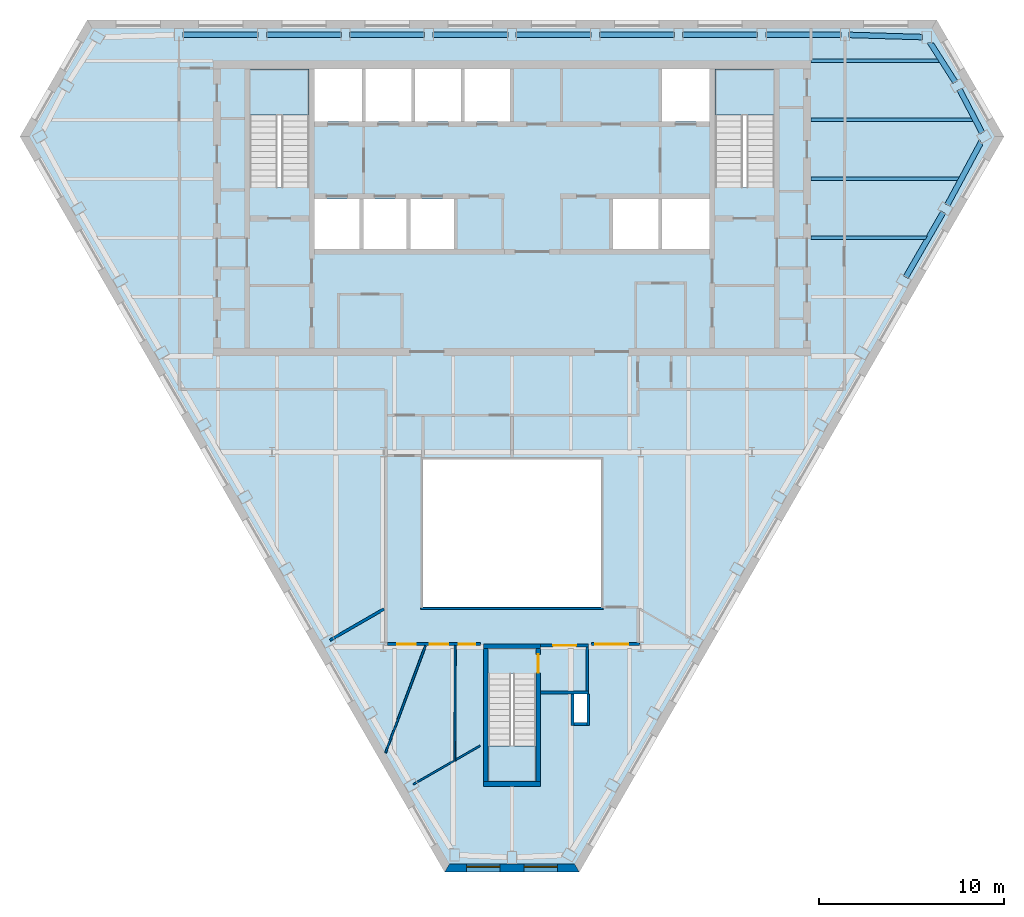
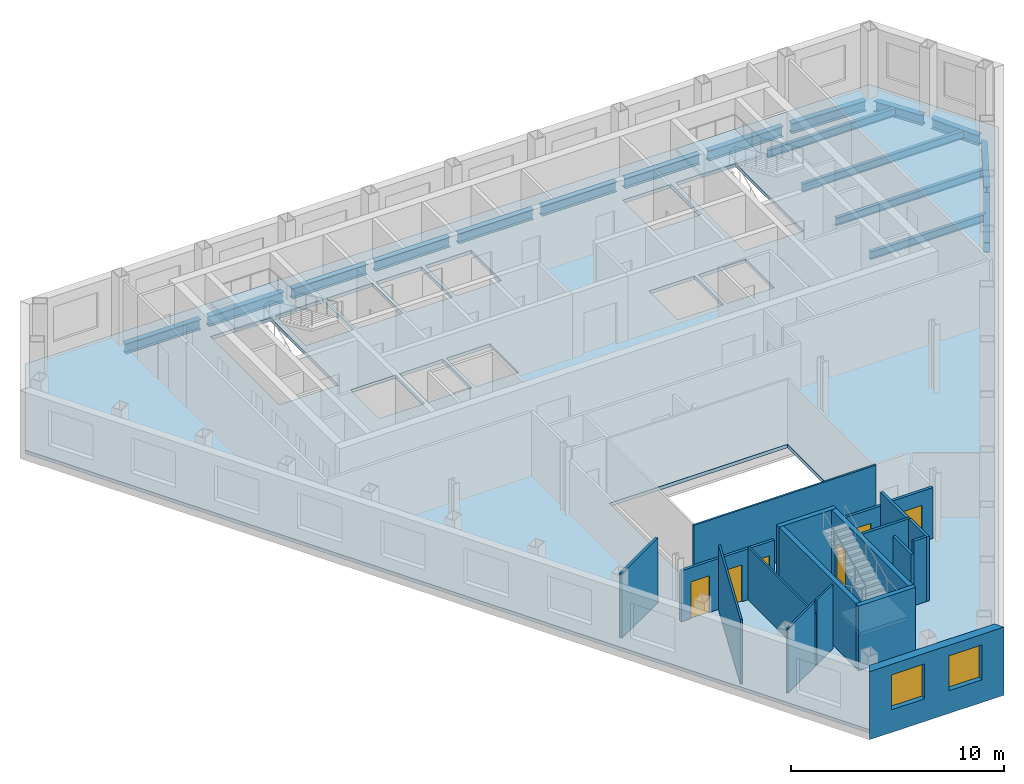
# One storey, part 3 of 11: 19 walls, 17 beams, 6 doors, 4 slabs, 2 windows, 8 openings, 3 elements without a shape of their own.
"""IFC4 building model written with IfcOpenShell, lengths in metres."""

from ifc_helpers import new_model, si_unit, direction, frame, frame_2d, origin, origin_2d, place, context, subcontext, project, spatial, polyline, rectangle, i_section, outline, extrude, clip, halfspace, material, layer, layer_set, material_profile, profile_set, type_object, element, fill, aggregate, save


model = new_model("IFC4")

# Units and contexts
model_context = context("Model", 3, precision=1e-05, world=origin(), true_north=direction((0.0, 1.0)))
body_context = subcontext(model_context, "Body", "Model", "MODEL_VIEW")
ifc_project = project(units=[si_unit("LENGTHUNIT", "METRE"), si_unit("AREAUNIT", "SQUARE_METRE"), si_unit("VOLUMEUNIT", "CUBIC_METRE"), si_unit("PLANEANGLEUNIT", "RADIAN"), si_unit("MASSUNIT", "GRAM", prefix="KILO")], contexts=[model_context])

# Site, building, storey
site_placement = place(None, origin())
site = spatial("IfcSite", under=ifc_project, at=site_placement, CompositionType="ELEMENT")
building_placement = place(site_placement, origin())
building = spatial("IfcBuilding", under=site, at=building_placement, Name="Njiva Tower", CompositionType="ELEMENT")
storey_placement = place(building_placement, frame((0.0, 0.0, 208.2)))
storey = spatial("IfcBuildingStorey", under=building, at=storey_placement, Name="L46", CompositionType="ELEMENT", Elevation=208.2)

# Beams
ifc_material_1 = material(Name="Steel S355 J2", Category="steel")
ifc_material_profile_1 = material_profile(ifc_material_1, i_section(OverallWidth=0.3, OverallDepth=0.59, WebThickness=0.013, FlangeThickness=0.025, at=origin_2d()), Name="HEA 600")
ifc_profile_set_1 = profile_set([ifc_material_profile_1], Name="Steel S355 J2")
beam_type_1 = type_object("IfcBeamType", Name="B27 Short-span spandrel beam HEA 600", PredefinedType="SPANDREL", material=ifc_profile_set_1)
beam_1_placement = place(storey_placement, frame((22.232, 19.274, -0.495), z_axis=(-0.999551735133, 0.029938750687, 0.0), x_axis=(-0.029938750687, -0.999551735133, 0.0)))
element("IfcBeam", 1, at=beam_1_placement, inside=storey, type_object=beam_type_1, Name="Short-span spandrel beam S15-B134", PredefinedType="SPANDREL", context=body_context, shape_type="SweptSolid", body=[
    extrude(i_section(OverallWidth=0.3, OverallDepth=0.59, WebThickness=0.013, FlangeThickness=0.025, at=origin_2d()), origin(), (0.0, 0.0, 1.0), 3.9748),
])
beam_2_placement = place(storey_placement, frame((17.805, 19.4, -0.495), z_axis=(-1.0, 0.0, 0.0), x_axis=(0.0, -1.0, 0.0)))
element("IfcBeam", 2, at=beam_2_placement, inside=storey, type_object=beam_type_1, Name="Short-span spandrel beam S15-B129", PredefinedType="SPANDREL", context=body_context, shape_type="SweptSolid", body=[
    extrude(i_section(OverallWidth=0.3, OverallDepth=0.59, WebThickness=0.013, FlangeThickness=0.025, at=origin_2d()), origin(), (0.0, 0.0, 1.0), 4.057),
])
beam_3_placement = place(storey_placement, frame((13.298, 19.4, -0.495), z_axis=(-1.0, 0.0, 0.0), x_axis=(0.0, -1.0, 0.0)))
element("IfcBeam", 3, at=beam_3_placement, inside=storey, type_object=beam_type_1, Name="Short-span spandrel beam S15-B124", PredefinedType="SPANDREL", context=body_context, shape_type="SweptSolid", body=[
    extrude(i_section(OverallWidth=0.3, OverallDepth=0.59, WebThickness=0.013, FlangeThickness=0.025, at=origin_2d()), origin(), (0.0, 0.0, 1.0), 4.058),
])
beam_4_placement = place(storey_placement, frame((8.79, 19.4, -0.495), z_axis=(-1.0, 0.0, 0.0), x_axis=(0.0, -1.0, 0.0)))
element("IfcBeam", 4, at=beam_4_placement, inside=storey, type_object=beam_type_1, Name="Short-span spandrel beam S15-B119", PredefinedType="SPANDREL", context=body_context, shape_type="SweptSolid", body=[
    extrude(i_section(OverallWidth=0.3, OverallDepth=0.59, WebThickness=0.013, FlangeThickness=0.025, at=origin_2d()), origin(), (0.0, 0.0, 1.0), 4.057),
])
for number, where, z_axis, x_axis, name in (
    (5, (4.283, 19.4, -0.495), (-1.0, 0.0, 0.0), (0.0, -1.0, 0.0), "Short-span spandrel beam S15-B114"),
    (6, (-0.225, 19.4, -0.495), (-1.0, 0.0, 0.0), (0.0, -1.0, 0.0), "Short-span spandrel beam S15-B111"),
):
    element("IfcBeam", number, at=place(storey_placement, frame(where, z_axis=z_axis, x_axis=x_axis)), inside=storey, type_object=beam_type_1, Name=name, PredefinedType="SPANDREL", context=body_context, shape_type="SweptSolid", body=[
        extrude(i_section(OverallWidth=0.3, OverallDepth=0.59, WebThickness=0.013, FlangeThickness=0.025, at=origin_2d()), origin(), (0.0, 0.0, 1.0), 4.058),
    ])
beam_5_placement = place(storey_placement, frame((-4.733, 19.4, -0.495), z_axis=(-1.0, 0.0, 0.0), x_axis=(0.0, -1.0, 0.0)))
element("IfcBeam", 7, at=beam_5_placement, inside=storey, type_object=beam_type_1, Name="Short-span spandrel beam S15-B106", PredefinedType="SPANDREL", context=body_context, shape_type="SweptSolid", body=[
    extrude(i_section(OverallWidth=0.3, OverallDepth=0.59, WebThickness=0.013, FlangeThickness=0.025, at=origin_2d()), origin(), (0.0, 0.0, 1.0), 4.057),
])
beam_6_placement = place(storey_placement, frame((-9.24, 19.4, -0.495), z_axis=(-1.0, 0.0, 0.0), x_axis=(0.0, -1.0, 0.0)))
element("IfcBeam", 8, at=beam_6_placement, inside=storey, type_object=beam_type_1, Name="Short-span spandrel beam S15-B101", PredefinedType="SPANDREL", context=body_context, shape_type="SweptSolid", body=[
    extrude(i_section(OverallWidth=0.3, OverallDepth=0.59, WebThickness=0.013, FlangeThickness=0.025, at=origin_2d()), origin(), (0.0, 0.0, 1.0), 4.058),
])
beam_7_placement = place(storey_placement, frame((-13.748, 19.4, -0.495), z_axis=(-1.0, 0.0, 0.0), x_axis=(0.0, -1.0, 0.0)))
element("IfcBeam", 9, at=beam_7_placement, inside=storey, type_object=beam_type_1, Name="Short-span spandrel beam S15-B096", PredefinedType="SPANDREL", context=body_context, shape_type="SweptSolid", body=[
    extrude(i_section(OverallWidth=0.3, OverallDepth=0.59, WebThickness=0.013, FlangeThickness=0.025, at=origin_2d()), origin(), (0.0, 0.0, 1.0), 4.057),
])
beam_8_placement = place(storey_placement, frame((21.326, 6.274, -0.495), z_axis=(0.500035331196, 0.866005004348, 0.0), x_axis=(-0.866005004348, 0.500035331196, 0.0)))
element("IfcBeam", 10, at=beam_8_placement, inside=storey, type_object=beam_type_1, Name="Short-span spandrel beam S15-B138", PredefinedType="SPANDREL", context=body_context, shape_type="SweptSolid", body=[
    extrude(i_section(OverallWidth=0.3, OverallDepth=0.59, WebThickness=0.013, FlangeThickness=0.025, at=origin_2d()), origin(), (0.0, 0.0, 1.0), 4.0577),
])
beam_9_placement = place(storey_placement, frame((23.576, 10.184, -0.495), z_axis=(0.473697336162, 0.880687704986, 0.0), x_axis=(-0.880687704986, 0.473697336162, 0.0)))
element("IfcBeam", 11, at=beam_9_placement, inside=storey, type_object=beam_type_1, Name="Short-span spandrel beam S15-B142", PredefinedType="SPANDREL", context=body_context, shape_type="Clipping", body=[
    clip(extrude(i_section(OverallWidth=0.3, OverallDepth=0.59, WebThickness=0.013, FlangeThickness=0.025, at=origin_2d()), origin(), (0.0, 0.0, 1.0), 3.9657), halfspace(frame((-0.0262, 0.0, 3.836), z_axis=(-0.525851211947, 0.0, 0.850576570859), x_axis=(0.0, 1.0, 0.0)), False)),
])
beam_10_placement = place(storey_placement, frame((25.461, 14.091, -0.495), z_axis=(-0.462411067742, 0.886665666658, 0.0), x_axis=(-0.886665666658, -0.462411067742, 0.0)))
element("IfcBeam", 12, at=beam_10_placement, inside=storey, type_object=beam_type_1, Name="Short-span spandrel beam S15-B143", PredefinedType="SPANDREL", context=body_context, shape_type="SweptSolid", body=[
    extrude(i_section(OverallWidth=0.3, OverallDepth=0.59, WebThickness=0.013, FlangeThickness=0.025, at=origin_2d()), origin(), (0.0, 0.0, 1.0), 2.647),
])
beam_11_placement = place(storey_placement, frame((24.006, 16.838, -0.495), z_axis=(-0.536644662207, 0.843808335183, 0.0), x_axis=(-0.843808335183, -0.536644662207, 0.0)))
element("IfcBeam", 13, at=beam_11_placement, inside=storey, type_object=beam_type_1, Name="Short-span spandrel beam S15-B139", PredefinedType="SPANDREL", context=body_context, shape_type="Clipping", body=[
    clip(extrude(i_section(OverallWidth=0.3, OverallDepth=0.59, WebThickness=0.013, FlangeThickness=0.025, at=origin_2d()), origin(), (0.0, 0.0, 1.0), 2.6381), halfspace(frame((-0.0268, 0.0, 2.506), z_axis=(-0.536644662207, 0.0, 0.843808335183), x_axis=(0.0, 1.0, 0.0)), False)),
])
ifc_material_profile_2 = material_profile(ifc_material_1, i_section(OverallWidth=0.19, OverallDepth=0.45, WebThickness=0.0094, FlangeThickness=0.0146, at=origin_2d()), Name="IPE 450")
ifc_profile_set_2 = profile_set([ifc_material_profile_2], Name="Steel S355 J2")
beam_type_2 = type_object("IfcBeamType", Name="B37 Floor beam to the core IPE 450", PredefinedType="BEAM", material=ifc_profile_set_2)
beam_12_placement = place(storey_placement, frame((16.2, 8.4, -0.425), z_axis=(1.0, 0.0, 0.0), x_axis=(0.0, 1.0, 0.0)))
element("IfcBeam", 14, at=beam_12_placement, inside=storey, type_object=beam_type_2, Name="Floor beam to the core S15-B007", PredefinedType="BEAM", context=body_context, shape_type="Clipping", body=[
    clip(extrude(i_section(OverallWidth=0.19, OverallDepth=0.45, WebThickness=0.0094, FlangeThickness=0.0146, at=origin_2d()), origin(), (0.0, 0.0, 1.0), 6.313), halfspace(frame((-0.025, 0.0, 6.2236), z_axis=(-0.499998009787, 0.0, 0.866026552831), x_axis=(0.0, 1.0, 0.0)), False)),
])
beam_13_placement = place(storey_placement, frame((16.2, 11.6, -0.425), z_axis=(1.0, 0.0, 0.0), x_axis=(0.0, 1.0, 0.0)))
element("IfcBeam", 15, at=beam_13_placement, inside=storey, type_object=beam_type_2, Name="Floor beam to the core S15-B008", PredefinedType="BEAM", context=body_context, shape_type="Clipping", body=[
    clip(extrude(i_section(OverallWidth=0.19, OverallDepth=0.45, WebThickness=0.0094, FlangeThickness=0.0146, at=origin_2d()), origin(), (0.0, 0.0, 1.0), 8.095), halfspace(frame((-0.0237, 0.0, 8.0111), z_axis=(-0.473769423091, 0.0, 0.880648927634), x_axis=(0.0, 1.0, 0.0)), False)),
])
beam_14_placement = place(storey_placement, frame((16.2, 14.8, -0.425), z_axis=(1.0, 0.0, 0.0), x_axis=(0.0, 1.0, 0.0)))
element("IfcBeam", 16, at=beam_14_placement, inside=storey, type_object=beam_type_2, Name="Floor beam to the core S15-B009", PredefinedType="BEAM", context=body_context, shape_type="Clipping", body=[
    clip(extrude(i_section(OverallWidth=0.19, OverallDepth=0.45, WebThickness=0.0094, FlangeThickness=0.0146, at=origin_2d()), origin(), (0.0, 0.0, 1.0), 8.848), halfspace(frame((0.0231, 0.0, 8.7663), z_axis=(0.462460059842, 0.0, 0.886640114731), x_axis=(0.0, 1.0, 0.0)), False)),
])
beam_15_placement = place(storey_placement, frame((16.2, 18.0, -0.425), z_axis=(1.0, 0.0, 0.0), x_axis=(0.0, 1.0, 0.0)))
element("IfcBeam", 17, at=beam_15_placement, inside=storey, type_object=beam_type_2, Name="Floor beam to the core S15-B010", PredefinedType="BEAM", context=body_context, shape_type="Clipping", body=[
    clip(extrude(i_section(OverallWidth=0.19, OverallDepth=0.45, WebThickness=0.0094, FlangeThickness=0.0146, at=origin_2d()), origin(), (0.0, 0.0, 1.0), 7.028), halfspace(frame((0.0268, 0.0, 6.9314), z_axis=(0.536617291887, 0.0, 0.843825741518), x_axis=(0.0, 1.0, 0.0)), False)),
])

# Stair, slab
ifc_material_2 = material(Name="Concrete C40/50", Category="concrete")
stair_type_1 = type_object("IfcStairType", Name="ST4 Exit stair 1500", PredefinedType="HALF_TURN_STAIR", material=ifc_material_2)
stair_1_placement = place(storey_placement, origin())
stair_1 = element("IfcStair", 18, at=stair_1_placement, inside=storey, type_object=stair_type_1, Name="Stair A", PredefinedType="HALF_TURN_STAIR")
ifc_layer_1 = layer(ifc_material_2, 0.2)
ifc_layer_set_1 = layer_set([ifc_layer_1], Name="Concrete C40/50")
slab_type_1 = type_object("IfcSlabType", Name="FL9 Stair landing 200", PredefinedType="LANDING", material=ifc_layer_set_1)
slab_1_placement = place(storey_placement, frame((0.0, 0.0, 1.75)))
slab_1 = element("IfcSlab", 19, at=slab_1_placement, type_object=slab_type_1, Name="ST-A landing 1", PredefinedType="LANDING", context=body_context, shape_type="SweptSolid", body=[
    extrude(outline(polyline([(-14.206, 15.06), (-10.994, 15.06), (-10.994, 17.55), (-14.206, 17.55), (-14.206, 15.06)])), origin(), (0.0, 0.0, 1.0), 0.2),
])
aggregate(stair_1, [slab_1])

stair_2_placement = place(storey_placement, origin())
stair_2 = element("IfcStair", 20, at=stair_2_placement, inside=storey, type_object=stair_type_1, Name="Stair B", PredefinedType="HALF_TURN_STAIR")
slab_2_placement = place(storey_placement, frame((0.0, 0.0, 1.75)))
slab_2 = element("IfcSlab", 21, at=slab_2_placement, type_object=slab_type_1, Name="ST-B landing 1", PredefinedType="LANDING", context=body_context, shape_type="SweptSolid", body=[
    extrude(outline(polyline([(10.994, 15.06), (14.206, 15.06), (14.206, 17.55), (10.994, 17.55), (10.994, 15.06)])), origin(), (0.0, 0.0, 1.0), 0.2),
])
aggregate(stair_2, [slab_2])

stair_type_2 = type_object("IfcStairType", Name="ST1 Exit stair 1250", PredefinedType="HALF_TURN_STAIR", material=ifc_material_2)
stair_3_placement = place(storey_placement, origin())
stair_3 = element("IfcStair", 22, at=stair_3_placement, inside=storey, type_object=stair_type_2, Name="Stair C", PredefinedType="HALF_TURN_STAIR")
slab_3_placement = place(storey_placement, frame((0.0, 0.0, 1.75)))
slab_3 = element("IfcSlab", 23, at=slab_3_placement, type_object=slab_type_1, Name="ST-C landing 1", PredefinedType="LANDING", context=body_context, shape_type="SweptSolid", body=[
    extrude(outline(polyline([(-1.306, -21.05), (1.306, -21.05), (1.306, -19.12), (-1.306, -19.12), (-1.306, -21.05)])), origin(), (0.0, 0.0, 1.0), 0.2),
])
aggregate(stair_3, [slab_3])

# Slab
ifc_material_3 = material(Name="Concrete C30/37", Category="concrete")
ifc_layer_2 = layer(ifc_material_3, 0.2)
ifc_layer_set_2 = layer_set([ifc_layer_2], Name="Concrete C30/37")
slab_type_2 = type_object("IfcSlabType", Name="SL16 Composite floor slab 200", PredefinedType="FLOOR", material=ifc_layer_set_2)
slab_4_placement = place(storey_placement, frame((0.0, 0.0, -0.2)))
element("IfcSlab", 24, at=slab_4_placement, inside=storey, type_object=slab_type_2, Name="Floor slab L46", PredefinedType="FLOOR", context=body_context, shape_type="SweptSolid", body=[
    extrude(outline(polyline([(26.3852, 13.8867), (3.5151, -25.7255), (-3.5151, -25.7255), (-26.3852, 13.8867), (-22.8701, 19.975), (22.8701, 19.975), (26.3852, 13.8867)]), holes=[polyline([(10.994, 11.13), (14.206, 11.13), (14.206, 17.55), (10.994, 17.55), (10.994, 11.13)]), polyline([(8.125, 14.7), (10.7, 14.7), (10.7, 17.55), (8.125, 17.55), (8.125, 14.7)]), polyline([(8.1333, 7.8), (10.7, 7.8), (10.7, 10.5), (8.1333, 10.5), (8.1333, 7.8)]), polyline([(5.4667, 7.8), (7.9333, 7.8), (7.9333, 10.5), (5.4667, 10.5), (5.4667, 7.8)]), polyline([(4.82, -11.6), (4.82, -3.6), (-4.82, -3.6), (-4.82, -11.6), (4.82, -11.6)]), polyline([(3.35, -17.85), (4.05, -17.85), (4.05, -16.3), (3.35, -16.3), (3.35, -17.85)]), polyline([(-1.306, -21.05), (1.306, -21.05), (1.306, -15.19), (-1.306, -15.19), (-1.306, -21.05)]), polyline([(-2.575, 14.7), (-0.1, 14.7), (-0.1, 17.55), (-2.575, 17.55), (-2.575, 14.7)]), polyline([(-5.25, 14.7), (-2.775, 14.7), (-2.775, 17.55), (-5.25, 17.55), (-5.25, 14.7)]), polyline([(-5.5, 7.8), (-3.15, 7.8), (-3.15, 10.5), (-5.5, 10.5), (-5.5, 7.8)]), polyline([(-7.925, 14.7), (-5.45, 14.7), (-5.45, 17.55), (-7.925, 17.55), (-7.925, 14.7)]), polyline([(-8.05, 7.8), (-5.7, 7.8), (-5.7, 10.5), (-8.05, 10.5), (-8.05, 7.8)]), polyline([(-10.7, 14.7), (-8.125, 14.7), (-8.125, 17.55), (-10.7, 17.55), (-10.7, 14.7)]), polyline([(-8.25, 7.8), (-8.25, 10.5), (-10.7, 10.5), (-10.7, 7.8), (-8.25, 7.8)]), polyline([(-14.206, 11.13), (-10.994, 11.13), (-10.994, 17.55), (-14.206, 17.55), (-14.206, 11.13)])]), origin(), (0.0, 0.0, 1.0), 0.2),
])

# Walls
ifc_material_4 = material(Name="Gypsum board on steel studs", Category="gypsum")
ifc_layer_3 = layer(ifc_material_4, 0.1)
ifc_layer_set_3 = layer_set([ifc_layer_3], Name="Gypsum board on steel studs")
wall_type_1 = type_object("IfcWallType", Name="WT20 Gypsum partition 100", PredefinedType="PARTITIONING", material=ifc_layer_set_3)
wall_1_placement = place(storey_placement, frame((-6.852, -19.495, 0.0), z_axis=(0.0, 0.0, 1.0), x_axis=(0.349406475185, 0.936971245609, 0.0)))
element("IfcWall", 25, at=wall_1_placement, inside=storey, type_object=wall_type_1, Name="Partition S15-P007", PredefinedType="PARTITIONING", context=body_context, shape_type="SweptSolid", body=[
    extrude(rectangle(XDim=6.1934, YDim=0.1, at=frame_2d((3.0967, 0.0))), origin(), (0.0, 0.0, 1.0), 3.7),
])
wall_2_placement = place(storey_placement, frame((-5.351, -21.196, 0.0), z_axis=(0.0, 0.0, 1.0), x_axis=(0.866290838041, 0.499539972301, 0.0)))
element("IfcWall", 26, at=wall_2_placement, inside=storey, type_object=wall_type_1, Name="Partition S15-P012", PredefinedType="PARTITIONING", context=body_context, shape_type="SweptSolid", body=[
    extrude(rectangle(XDim=2.5303, YDim=0.1, at=frame_2d((1.2652, 0.0))), origin(), (0.0, 0.0, 1.0), 3.7),
])
wall_3_placement = place(storey_placement, frame((-3.1, -19.948, 0.0), z_axis=(0.0, 0.0, 1.0), x_axis=(0.003347661777, 0.999994396565, 0.0)))
element("IfcWall", 27, at=wall_3_placement, inside=storey, type_object=wall_type_1, Name="Partition S15-P014", PredefinedType="PARTITIONING", context=body_context, shape_type="SweptSolid", body=[
    extrude(rectangle(XDim=6.273, YDim=0.1, at=frame_2d((3.1365, 0.0))), origin(), (0.0, 0.0, 1.0), 3.01),
])
wall_4_placement = place(storey_placement, frame((-3.025, -19.854, 0.0), z_axis=(0.0, 0.0, 1.0), x_axis=(0.865897129857, 0.500222111171, 0.0)))
element("IfcWall", 28, at=wall_4_placement, inside=storey, type_object=wall_type_1, Name="Partition S15-P015", PredefinedType="PARTITIONING", context=body_context, shape_type="SweptSolid", body=[
    extrude(rectangle(XDim=1.5013, YDim=0.1, at=frame_2d((0.7506, 0.0))), origin(), (0.0, 0.0, 1.0), 3.7),
])
ifc_layer_4 = layer(ifc_material_4, 0.15)
ifc_layer_set_4 = layer_set([ifc_layer_4], Name="Gypsum board on steel studs")
wall_type_2 = type_object("IfcWallType", Name="WT21 Compartment wall 150", PredefinedType="PARTITIONING", material=ifc_layer_set_4)
wall_5_placement = place(storey_placement, frame((-9.858, -13.389, 0.0), z_axis=(0.0, 0.0, 1.0), x_axis=(0.865993292597, 0.500055614084, 0.0)))
element("IfcWall", 29, at=wall_5_placement, inside=storey, type_object=wall_type_2, Name="Partition S15-P006", PredefinedType="PARTITIONING", context=body_context, shape_type="SweptSolid", body=[
    extrude(rectangle(XDim=3.3776, YDim=0.15, at=frame_2d((1.6888, 0.0))), origin(), (0.0, 0.0, 1.0), 3.7),
])

# Wall, openings, doors
wall_6_placement = place(storey_placement, frame((-6.745, -13.6, 0.0), z_axis=(0.0, 0.0, 1.0), x_axis=(1.0, 0.0, 0.0)))
wall_6 = element("IfcWall", 30, at=wall_6_placement, inside=storey, type_object=wall_type_2, Name="Partition S15-P009", PredefinedType="PARTITIONING", context=body_context, shape_type="SweptSolid", body=[
    extrude(rectangle(XDim=5.045, YDim=0.15, at=frame_2d((2.5225, 0.0))), origin(), (0.0, 0.0, 1.0), 2.91),
])
opening_1_placement = place(wall_6_placement, frame((0.522, 0.0, 0.0)))
opening_1 = element("IfcOpeningElement", 31, at=opening_1_placement, cuts=wall_6, Name="Opening S15-D003", PredefinedType="OPENING", context=body_context, shape_type="SweptSolid", body=[
    extrude(rectangle(XDim=1.0, YDim=2.1, at=frame_2d((0.5, 1.05))), frame((0.0, 0.085, 0.0), z_axis=(0.0, -1.0, 0.0), x_axis=(1.0, 0.0, 0.0)), (0.0, 0.0, 1.0), 0.17),
])
opening_2_placement = place(wall_6_placement, frame((2.291, 0.0, 0.0)))
opening_2 = element("IfcOpeningElement", 32, at=opening_2_placement, cuts=wall_6, Name="Opening S15-D004", PredefinedType="OPENING", context=body_context, shape_type="SweptSolid", body=[
    extrude(rectangle(XDim=1.0, YDim=2.1, at=frame_2d((0.5, 1.05))), frame((0.0, 0.085, 0.0), z_axis=(0.0, -1.0, 0.0), x_axis=(1.0, 0.0, 0.0)), (0.0, 0.0, 1.0), 0.17),
])
opening_3_placement = place(wall_6_placement, frame((3.866, 0.0, 0.0)))
opening_3 = element("IfcOpeningElement", 33, at=opening_3_placement, cuts=wall_6, Name="Opening S15-D005", PredefinedType="OPENING", context=body_context, shape_type="SweptSolid", body=[
    extrude(rectangle(XDim=0.9, YDim=2.1, at=frame_2d((0.45, 1.05))), frame((0.0, 0.085, 0.0), z_axis=(0.0, -1.0, 0.0), x_axis=(1.0, 0.0, 0.0)), (0.0, 0.0, 1.0), 0.17),
])
ifc_material_5 = material(Name="Steel fire door set", Category="steel")
door_type_1 = type_object("IfcDoorType", Name="D36 Fire door 900x2100", OperationType="SINGLE_SWING_LEFT", PredefinedType="DOOR", material=ifc_material_5)
door_1_placement = place(opening_3_placement, origin())
door_1 = element("IfcDoor", 34, at=door_1_placement, inside=storey, type_object=door_type_1, Name="Door S15-D005", OperationType="SINGLE_SWING_RIGHT", OverallHeight=2.1, OverallWidth=0.9, PredefinedType="DOOR", context=body_context, shape_type="SweptSolid", body=[
    extrude(rectangle(XDim=0.9, YDim=2.1, at=frame_2d((0.45, 1.05))), frame((0.0, 0.025, 0.0), z_axis=(0.0, -1.0, 0.0), x_axis=(1.0, 0.0, 0.0)), (0.0, 0.0, 1.0), 0.05),
])
fill(opening_3, door_1)
door_type_2 = type_object("IfcDoorType", Name="D37 Fire door 1000x2100", OperationType="SINGLE_SWING_LEFT", PredefinedType="DOOR", material=ifc_material_5)
door_2_placement = place(opening_1_placement, origin())
door_2 = element("IfcDoor", 35, at=door_2_placement, inside=storey, type_object=door_type_2, Name="Door S15-D003", OperationType="SINGLE_SWING_LEFT", OverallHeight=2.1, OverallWidth=1.0, PredefinedType="DOOR", context=body_context, shape_type="SweptSolid", body=[
    extrude(rectangle(XDim=1.0, YDim=2.1, at=frame_2d((0.5, 1.05))), frame((0.0, 0.025, 0.0), z_axis=(0.0, -1.0, 0.0), x_axis=(1.0, 0.0, 0.0)), (0.0, 0.0, 1.0), 0.05),
])
fill(opening_1, door_2)
door_3_placement = place(opening_2_placement, origin())
door_3 = element("IfcDoor", 36, at=door_3_placement, inside=storey, type_object=door_type_2, Name="Door S15-D004", OperationType="SINGLE_SWING_RIGHT", OverallHeight=2.1, OverallWidth=1.0, PredefinedType="DOOR", context=body_context, shape_type="SweptSolid", body=[
    extrude(rectangle(XDim=1.0, YDim=2.1, at=frame_2d((0.5, 1.05))), frame((0.0, 0.025, 0.0), z_axis=(0.0, -1.0, 0.0), x_axis=(1.0, 0.0, 0.0)), (0.0, 0.0, 1.0), 0.05),
])
fill(opening_2, door_3)

# Wall, opening, door
wall_7_placement = place(storey_placement, frame((4.3, -13.6, 0.0), z_axis=(0.0, 0.0, 1.0), x_axis=(1.0, 0.0, 0.0)))
wall_7 = element("IfcWall", 37, at=wall_7_placement, inside=storey, type_object=wall_type_2, Name="Partition S15-P017", PredefinedType="PARTITIONING", context=body_context, shape_type="SweptSolid", body=[
    extrude(rectangle(XDim=2.595, YDim=0.15, at=frame_2d((1.2975, 0.0))), origin(), (0.0, 0.0, 1.0), 2.91),
])
opening_4_placement = place(wall_7_placement, frame((0.2, 0.0, 0.0)))
opening_4 = element("IfcOpeningElement", 38, at=opening_4_placement, cuts=wall_7, Name="Opening S15-D009", PredefinedType="OPENING", context=body_context, shape_type="SweptSolid", body=[
    extrude(rectangle(XDim=1.8, YDim=2.1, at=frame_2d((0.9, 1.05))), frame((0.0, 0.085, 0.0), z_axis=(0.0, -1.0, 0.0), x_axis=(1.0, 0.0, 0.0)), (0.0, 0.0, 1.0), 0.17),
])
door_type_3 = type_object("IfcDoorType", Name="D38 Fire door 1800x2100", OperationType="DOUBLE_DOOR_SINGLE_SWING", PredefinedType="DOOR", material=ifc_material_5)
door_4_placement = place(opening_4_placement, origin())
door_4 = element("IfcDoor", 39, at=door_4_placement, inside=storey, type_object=door_type_3, Name="Door S15-D009", OperationType="DOUBLE_DOOR_SINGLE_SWING", OverallHeight=2.1, OverallWidth=1.8, PredefinedType="DOOR", context=body_context, shape_type="SweptSolid", body=[
    extrude(rectangle(XDim=1.8, YDim=2.1, at=frame_2d((0.9, 1.05))), frame((0.0, 0.025, 0.0), z_axis=(0.0, -1.0, 0.0), x_axis=(1.0, 0.0, 0.0)), (0.0, 0.0, 1.0), 0.05),
])
fill(opening_4, door_4)

# Walls
ifc_material_6 = material(Name="Blockwork", Category="masonry")
ifc_layer_5 = layer(ifc_material_6, 0.15)
ifc_layer_set_5 = layer_set([ifc_layer_5], Name="Blockwork")
wall_type_3 = type_object("IfcWallType", Name="WT4 Stair partition 150", PredefinedType="PARTITIONING", material=ifc_layer_set_5)
wall_8_placement = place(storey_placement, frame((1.55, -16.225, 0.0), z_axis=(0.0, 0.0, 1.0), x_axis=(1.0, 0.0, 0.0)))
element("IfcWall", 40, at=wall_8_placement, inside=storey, type_object=wall_type_3, Name="Stair C vestibule wall south", PredefinedType="PARTITIONING", context=body_context, shape_type="SweptSolid", body=[
    extrude(rectangle(XDim=2.6, YDim=0.15, at=frame_2d((1.3, 0.0))), origin(), (0.0, 0.0, 1.0), 3.7),
])
wall_9_placement = place(storey_placement, frame((4.075, -16.15, 0.0), z_axis=(0.0, 0.0, 1.0), x_axis=(0.0, 1.0, 0.0)))
element("IfcWall", 41, at=wall_9_placement, inside=storey, type_object=wall_type_3, Name="Stair C vestibule wall east", PredefinedType="PARTITIONING", context=body_context, shape_type="SweptSolid", body=[
    extrude(rectangle(XDim=2.4, YDim=0.15, at=frame_2d((1.2, 0.0))), origin(), (0.0, 0.0, 1.0), 3.7),
])

# Wall, opening, door
wall_10_placement = place(storey_placement, frame((1.55, -13.675, 0.0), z_axis=(0.0, 0.0, 1.0), x_axis=(1.0, 0.0, 0.0)))
wall_10 = element("IfcWall", 42, at=wall_10_placement, inside=storey, type_object=wall_type_3, Name="Stair C vestibule wall north", PredefinedType="PARTITIONING", context=body_context, shape_type="SweptSolid", body=[
    extrude(rectangle(XDim=2.6, YDim=0.15, at=frame_2d((1.3, 0.0))), origin(), (0.0, 0.0, 1.0), 2.91),
])
opening_5_placement = place(wall_10_placement, frame((0.675, 0.0, 0.0)))
opening_5 = element("IfcOpeningElement", 43, at=opening_5_placement, cuts=wall_10, Name="Opening S15-D941", PredefinedType="OPENING", context=body_context, shape_type="SweptSolid", body=[
    extrude(rectangle(XDim=1.25, YDim=2.1, at=frame_2d((0.625, 1.05))), frame((0.0, 0.085, 0.0), z_axis=(0.0, -1.0, 0.0), x_axis=(1.0, 0.0, 0.0)), (0.0, 0.0, 1.0), 0.17),
])
ifc_material_7 = material(Name="Glazed steel fire door", Category="steel")
door_type_4 = type_object("IfcDoorType", Name="D8 Vestibule corridor door 1250x2100 glazed", OperationType="SINGLE_SWING_LEFT", PredefinedType="DOOR", material=ifc_material_7)
door_5_placement = place(opening_5_placement, origin())
door_5 = element("IfcDoor", 44, at=door_5_placement, inside=storey, type_object=door_type_4, Name="Stair vestibule corridor door", OperationType="SINGLE_SWING_RIGHT", OverallHeight=2.1, OverallWidth=1.25, PredefinedType="DOOR", context=body_context, shape_type="SweptSolid", body=[
    extrude(rectangle(XDim=1.25, YDim=2.1, at=frame_2d((0.625, 1.05))), frame((0.0, 0.025, 0.0), z_axis=(0.0, -1.0, 0.0), x_axis=(1.0, 0.0, 0.0)), (0.0, 0.0, 1.0), 0.05),
])
fill(opening_5, door_5)

# Walls
wall_11_placement = place(storey_placement, frame((3.275, -18.0, 0.0), z_axis=(0.0, 0.0, 1.0), x_axis=(0.0, 1.0, 0.0)))
element("IfcWall", 45, at=wall_11_placement, inside=storey, type_object=wall_type_3, Name="Stair C pressurisation shaft wall", PredefinedType="PARTITIONING", context=body_context, shape_type="SweptSolid", body=[
    extrude(rectangle(XDim=1.7, YDim=0.15, at=frame_2d((0.85, 0.0))), origin(), (0.0, 0.0, 1.0), 3.01),
])
wall_12_placement = place(storey_placement, frame((3.35, -17.925, 0.0), z_axis=(0.0, 0.0, 1.0), x_axis=(1.0, 0.0, 0.0)))
element("IfcWall", 46, at=wall_12_placement, inside=storey, type_object=wall_type_3, Name="Stair C pressurisation shaft wall", PredefinedType="PARTITIONING", context=body_context, shape_type="SweptSolid", body=[
    extrude(rectangle(XDim=0.7, YDim=0.15, at=frame_2d((0.35, 0.0))), origin(), (0.0, 0.0, 1.0), 3.7),
])
wall_13_placement = place(storey_placement, frame((4.125, -18.0, 0.0), z_axis=(0.0, 0.0, 1.0), x_axis=(0.0, 1.0, 0.0)))
element("IfcWall", 47, at=wall_13_placement, inside=storey, type_object=wall_type_3, Name="Stair C pressurisation shaft wall", PredefinedType="PARTITIONING", context=body_context, shape_type="SweptSolid", body=[
    extrude(rectangle(XDim=1.7, YDim=0.15, at=frame_2d((0.85, 0.0))), origin(), (0.0, 0.0, 1.0), 3.7),
])
ifc_layer_6 = layer(ifc_material_2, 0.25)
ifc_layer_set_6 = layer_set([ifc_layer_6], Name="Concrete C40/50")
wall_type_4 = type_object("IfcWallType", Name="WT9 Stair enclosure wall 250", PredefinedType="SHEAR", material=ifc_layer_set_6)
wall_14_placement = place(storey_placement, frame((-1.425, -21.05, 0.0), z_axis=(0.0, 0.0, 1.0), x_axis=(0.0, 1.0, 0.0)))
element("IfcWall", 48, at=wall_14_placement, inside=storey, type_object=wall_type_4, Name="Stair C wall west", PredefinedType="SHEAR", context=body_context, shape_type="SweptSolid", body=[
    extrude(rectangle(XDim=7.2, YDim=0.25, at=frame_2d((3.6, 0.0))), origin(), (0.0, 0.0, 1.0), 3.7),
])

# Wall, opening, door
wall_15_placement = place(storey_placement, frame((1.425, -21.05, 0.0), z_axis=(0.0, 0.0, 1.0), x_axis=(0.0, 1.0, 0.0)))
wall_15 = element("IfcWall", 49, at=wall_15_placement, inside=storey, type_object=wall_type_4, Name="Stair C wall east", PredefinedType="SHEAR", context=body_context, shape_type="SweptSolid", body=[
    extrude(rectangle(XDim=7.2, YDim=0.25, at=frame_2d((3.6, 0.0))), origin(), (0.0, 0.0, 1.0), 3.7),
])
opening_6_placement = place(wall_15_placement, frame((5.89, 0.0, 0.0)))
opening_6 = element("IfcOpeningElement", 50, at=opening_6_placement, cuts=wall_15, Name="Opening S15-D940", PredefinedType="OPENING", context=body_context, shape_type="SweptSolid", body=[
    extrude(rectangle(XDim=1.0, YDim=2.1, at=frame_2d((0.5, 1.05))), frame((0.0, 0.135, 0.0), z_axis=(0.0, -1.0, 0.0), x_axis=(1.0, 0.0, 0.0)), (0.0, 0.0, 1.0), 0.27),
])
door_type_5 = type_object("IfcDoorType", Name="D9 Stair vestibule door 1000x2100 glazed", OperationType="SINGLE_SWING_LEFT", PredefinedType="DOOR", material=ifc_material_7)
door_6_placement = place(opening_6_placement, origin())
door_6 = element("IfcDoor", 51, at=door_6_placement, inside=storey, type_object=door_type_5, Name="Stair C door", OperationType="SINGLE_SWING_LEFT", OverallHeight=2.1, OverallWidth=1.0, PredefinedType="DOOR", context=body_context, shape_type="SweptSolid", body=[
    extrude(rectangle(XDim=1.0, YDim=2.1, at=frame_2d((0.5, 1.05))), frame((0.0, 0.025, 0.0), z_axis=(0.0, -1.0, 0.0), x_axis=(1.0, 0.0, 0.0)), (0.0, 0.0, 1.0), 0.05),
])
fill(opening_6, door_6)

# Walls
for number, where, z_axis, x_axis, name in (
    (52, (-1.55, -21.175, 0.0), (0.0, 0.0, 1.0), (1.0, 0.0, 0.0), "Stair C wall south"),
    (53, (-1.55, -13.725, 0.0), (0.0, 0.0, 1.0), (1.0, 0.0, 0.0), "Stair C wall north"),
):
    element("IfcWall", number, at=place(storey_placement, frame(where, z_axis=z_axis, x_axis=x_axis)), inside=storey, type_object=wall_type_4, Name=name, PredefinedType="SHEAR", context=body_context, shape_type="SweptSolid", body=[
        extrude(rectangle(XDim=3.1, YDim=0.25, at=frame_2d((1.55, 0.0))), origin(), (0.0, 0.0, 1.0), 3.7),
    ])

# Wall, openings, windows
ifc_material_8 = material(Name="Brick masonry, buff", Category="masonry")
ifc_layer_7 = layer(ifc_material_8, 0.45)
ifc_layer_set_7 = layer_set([ifc_layer_7], Name="Brick masonry, buff")
wall_type_5 = type_object("IfcWallType", Name="WT94 Brick pier and spandrel wall 450, buff", PredefinedType="SOLIDWALL", material=ifc_layer_set_7)
wall_16_placement = place(storey_placement, frame((-3.5151, -25.7255, -0.4), z_axis=(0.0, 0.0, 1.0), x_axis=(1.0, 0.0, 0.0)))
wall_16 = element("IfcWall", 54, at=wall_16_placement, inside=storey, type_object=wall_type_5, Name="Facade wall S", PredefinedType="SOLIDWALL", context=body_context, shape_type="SweptSolid", body=[
    extrude(outline(polyline([(-0.1299, -0.225), (7.1601, -0.225), (6.9003, 0.225), (0.1299, 0.225), (-0.1299, -0.225)])), origin(), (0.0, 0.0, 1.0), 3.9),
])
opening_7_placement = place(wall_16_placement, frame((1.0619, 0.0, 1.3)))
opening_7 = element("IfcOpeningElement", 55, at=opening_7_placement, cuts=wall_16, Name="Opening S15-W21", PredefinedType="OPENING", context=body_context, shape_type="SweptSolid", body=[
    extrude(rectangle(XDim=1.8, YDim=2.0, at=frame_2d((0.9, 1.0))), frame((0.0, 0.235, 0.0), z_axis=(0.0, -1.0, 0.0), x_axis=(1.0, 0.0, 0.0)), (0.0, 0.0, 1.0), 0.47),
])
opening_8_placement = place(wall_16_placement, frame((4.1682, 0.0, 1.3)))
opening_8 = element("IfcOpeningElement", 56, at=opening_8_placement, cuts=wall_16, Name="Opening S15-W22", PredefinedType="OPENING", context=body_context, shape_type="SweptSolid", body=[
    extrude(rectangle(XDim=1.8, YDim=2.0, at=frame_2d((0.9, 1.0))), frame((0.0, 0.235, 0.0), z_axis=(0.0, -1.0, 0.0), x_axis=(1.0, 0.0, 0.0)), (0.0, 0.0, 1.0), 0.47),
])
ifc_material_9 = material(Name="Clear glazing in aluminium frame", Category="aluminium")
window_type = type_object("IfcWindowType", Name="W94 Deep-set window 1800x2000", PartitioningType="SINGLE_PANEL", PredefinedType="WINDOW", material=ifc_material_9)
window_1_placement = place(opening_7_placement, origin())
window_1 = element("IfcWindow", 57, at=window_1_placement, inside=storey, type_object=window_type, Name="Window", OverallHeight=2.0, OverallWidth=1.8, PartitioningType="SINGLE_PANEL", PredefinedType="WINDOW", context=body_context, shape_type="SweptSolid", body=[
    extrude(rectangle(XDim=1.8, YDim=2.0, at=frame_2d((0.9, 1.0))), frame((0.0, 0.105, 0.0), z_axis=(0.0, -1.0, 0.0), x_axis=(1.0, 0.0, 0.0)), (0.0, 0.0, 1.0), 0.06),
])
fill(opening_7, window_1)
window_2_placement = place(opening_8_placement, origin())
window_2 = element("IfcWindow", 58, at=window_2_placement, inside=storey, type_object=window_type, Name="Window", OverallHeight=2.0, OverallWidth=1.8, PartitioningType="SINGLE_PANEL", PredefinedType="WINDOW", context=body_context, shape_type="SweptSolid", body=[
    extrude(rectangle(XDim=1.8, YDim=2.0, at=frame_2d((0.9, 1.0))), frame((0.0, 0.105, 0.0), z_axis=(0.0, -1.0, 0.0), x_axis=(1.0, 0.0, 0.0)), (0.0, 0.0, 1.0), 0.06),
])
fill(opening_8, window_2)

# Wall
ifc_material_10 = material(Name="Fire-resisting glazing EI 90", Category="glass")
ifc_layer_8 = layer(ifc_material_10, 0.1)
ifc_layer_set_8 = layer_set([ifc_layer_8], Name="Fire-resisting glazing EI 90")
wall_type_6 = type_object("IfcWallType", Name="WT95 Fire-resisting glazed screen EI 90", PredefinedType="PARTITIONING", material=ifc_layer_set_8)
wall_17_placement = place(storey_placement, frame((-4.94, -11.67, 0.0), z_axis=(0.0, 0.0, 1.0), x_axis=(1.0, 0.0, 0.0)))
element("IfcWall", 59, at=wall_17_placement, inside=storey, type_object=wall_type_6, Name="Atrium fire screen south", PredefinedType="PARTITIONING", context=body_context, shape_type="SweptSolid", body=[
    extrude(rectangle(XDim=9.88, YDim=0.1, at=frame_2d((4.94, 0.0))), origin(), (0.0, 0.0, 1.0), 3.7),
])

save(model, "model.ifc")
